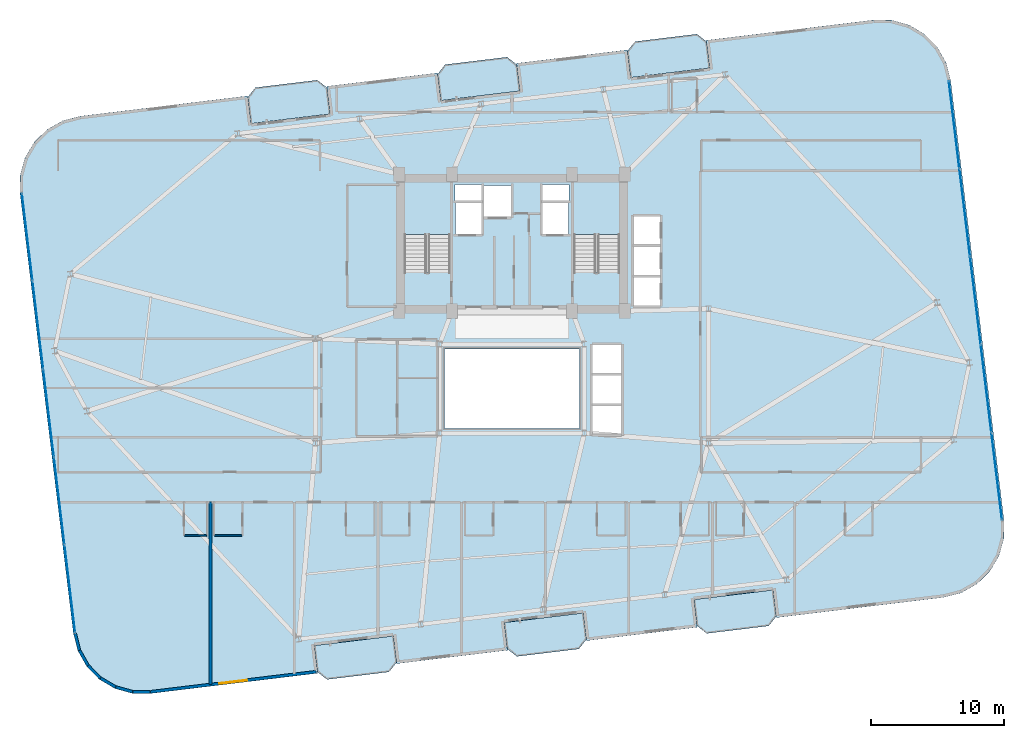
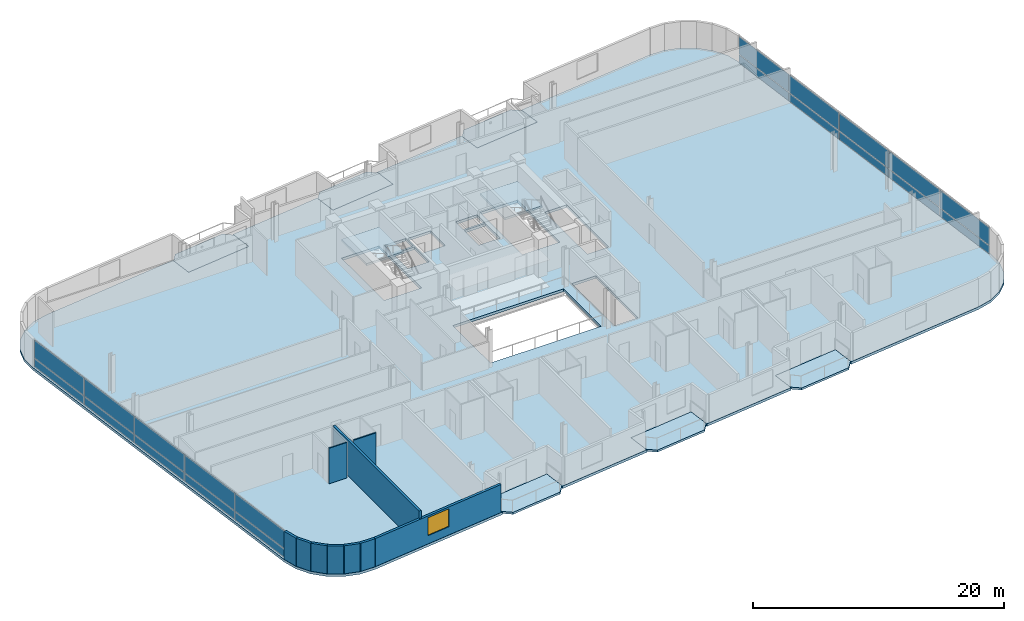
# One storey, part 13 of 23: 20 plates, 10 walls, 9 slabs, 1 window, 1 opening, 4 elements without a shape of their own.
"""IFC4 building model written with IfcOpenShell, lengths in metres."""

from ifc_helpers import new_model, si_unit, direction, frame, frame_2d, origin, origin_2d, place, context, subcontext, project, spatial, polyline, rectangle, outline, extrude, source, transform, mapped, material, layer, layer_set, type_object, element, fill, aggregate, save


model = new_model("IFC4")

# Units and contexts
model_context = context("Model", 3, precision=1e-05, world=origin(), true_north=direction((0.0, 1.0)))
body_context = subcontext(model_context, "Body", "Model", "MODEL_VIEW")
ifc_project = project(units=[si_unit("LENGTHUNIT", "METRE"), si_unit("AREAUNIT", "SQUARE_METRE"), si_unit("VOLUMEUNIT", "CUBIC_METRE"), si_unit("PLANEANGLEUNIT", "RADIAN"), si_unit("MASSUNIT", "GRAM", prefix="KILO")], contexts=[model_context])

# Site, building, storey
site_placement = place(None, origin())
site = spatial("IfcSite", under=ifc_project, at=site_placement, CompositionType="ELEMENT")
building_placement = place(site_placement, origin())
building = spatial("IfcBuilding", under=site, at=building_placement, Name="Varnelok Gate Tower", CompositionType="ELEMENT")
storey_placement = place(building_placement, frame((0.0, 0.0, 200.5)))
storey = spatial("IfcBuildingStorey", under=building, at=storey_placement, Name="L51", CompositionType="ELEMENT", Elevation=200.5)

# Slabs
ifc_material_1 = material(Name="Concrete C45/55", Category="concrete")
ifc_layer_1 = layer(ifc_material_1, 0.199951171875)
ifc_layer_set_1 = layer_set([ifc_layer_1], Name="Concrete C45/55")
slab_type_1 = type_object("IfcSlabType", Name="SLB-BALC-200", PredefinedType="FLOOR", material=ifc_layer_set_1)
slab_1_placement = place(storey_placement, frame((0.0, 0.0, -0.199951171875)))
element("IfcSlab", 1, at=slab_1_placement, inside=storey, type_object=slab_type_1, Name="L51 South Hollow Balcony 1", PredefinedType="FLOOR", context=body_context, shape_type="SweptSolid", body=[
    extrude(outline(polyline([(24.550048828125, 1.564453125), (25.2734375, 0.997314453125), (29.939208984375, 1.56298828125), (30.50634765625, 2.28662109375), (30.265625, 4.27197265625), (24.309326171875, 3.5498046875), (24.550048828125, 1.564453125)])), origin(), (0.0, 0.0, 1.0), 0.199951171875),
])
slab_2_placement = place(storey_placement, frame((0.0, 0.0, -0.199951171875)))
element("IfcSlab", 2, at=slab_2_placement, inside=storey, type_object=slab_type_1, Name="L51 South Hollow Balcony 2", PredefinedType="FLOOR", context=body_context, shape_type="SweptSolid", body=[
    extrude(outline(polyline([(38.84521484375, 3.29736328125), (39.56884765625, 2.73046875), (44.234619140625, 3.2958984375), (44.8017578125, 4.01953125), (44.56103515625, 6.0048828125), (38.6044921875, 5.282958984375), (38.84521484375, 3.29736328125)])), origin(), (0.0, 0.0, 1.0), 0.199951171875),
])
slab_3_placement = place(storey_placement, frame((0.0, 0.0, -0.199951171875)))
element("IfcSlab", 3, at=slab_3_placement, inside=storey, type_object=slab_type_1, Name="L51 South Hollow Balcony 3", PredefinedType="FLOOR", context=body_context, shape_type="SweptSolid", body=[
    extrude(outline(polyline([(53.140625, 5.030517578125), (53.8642578125, 4.46337890625), (58.530029296875, 5.02880859375), (59.09716796875, 5.75244140625), (58.8564453125, 7.73779296875), (52.89990234375, 7.015869140625), (53.140625, 5.030517578125)])), origin(), (0.0, 0.0, 1.0), 0.199951171875),
])
slab_4_placement = place(storey_placement, frame((0.0, 0.0, -0.199951171875)))
element("IfcSlab", 4, at=slab_4_placement, inside=storey, type_object=slab_type_1, Name="L51 North Hollow Balcony 1", PredefinedType="FLOOR", context=body_context, shape_type="SweptSolid", body=[
    extrude(outline(polyline([(19.543701171875, 42.862060546875), (25.5, 43.584228515625), (25.25927734375, 45.569580078125), (24.535888671875, 46.13671875), (19.8701171875, 45.571044921875), (19.302978515625, 44.84765625), (19.543701171875, 42.862060546875)])), origin(), (0.0, 0.0, 1.0), 0.199951171875),
])
slab_5_placement = place(storey_placement, frame((0.0, 0.0, -0.199951171875)))
element("IfcSlab", 5, at=slab_5_placement, inside=storey, type_object=slab_type_1, Name="L51 North Hollow Balcony 2", PredefinedType="FLOOR", context=body_context, shape_type="SweptSolid", body=[
    extrude(outline(polyline([(33.839111328125, 44.59521484375), (39.79541015625, 45.317138671875), (39.5546875, 47.302490234375), (38.831298828125, 47.86962890625), (34.165283203125, 47.303955078125), (33.598388671875, 46.58056640625), (33.839111328125, 44.59521484375)])), origin(), (0.0, 0.0, 1.0), 0.199951171875),
])
slab_6_placement = place(storey_placement, frame((0.0, 0.0, -0.199951171875)))
element("IfcSlab", 6, at=slab_6_placement, inside=storey, type_object=slab_type_1, Name="L51 North Hollow Balcony 3", PredefinedType="FLOOR", context=body_context, shape_type="SweptSolid", body=[
    extrude(outline(polyline([(48.13427734375, 46.327880859375), (54.0908203125, 47.050048828125), (53.85009765625, 49.03564453125), (53.12646484375, 49.6025390625), (48.460693359375, 49.037109375), (47.8935546875, 48.3134765625), (48.13427734375, 46.327880859375)])), origin(), (0.0, 0.0, 1.0), 0.199951171875),
])

# Stair, slab
ifc_material_2 = material(Name="Concrete C50/60", Category="concrete")
stair_type = type_object("IfcStairType", Name="STR-CORE-1650", PredefinedType="HALF_TURN_STAIR", material=ifc_material_2)
stair_1_placement = place(storey_placement, origin())
stair_1 = element("IfcStair", 7, at=stair_1_placement, inside=storey, type_object=stair_type, Name="L51 Exit Stair ST-1", PredefinedType="HALF_TURN_STAIR")
ifc_layer_2 = layer(ifc_material_1, 0.199951171875)
ifc_layer_set_2 = layer_set([ifc_layer_2], Name="Concrete C45/55")
slab_type_2 = type_object("IfcSlabType", Name="SLB-LAND-200", PredefinedType="LANDING", material=ifc_layer_set_2)
slab_7_placement = place(storey_placement, frame((0.0, 0.0, 1.64990234375)))
slab_7 = element("IfcSlab", 8, at=slab_7_placement, type_object=slab_type_2, Name="ST-1 landing 1", PredefinedType="LANDING", context=body_context, shape_type="SweptSolid", body=[
    extrude(outline(polyline([(34.550048828125, 34.5), (34.550048828125, 38.449951171875), (31.10009765625, 38.449951171875), (31.10009765625, 34.5), (34.550048828125, 34.5)])), origin(), (0.0, 0.0, 1.0), 0.2001953125),
])
aggregate(stair_1, [slab_7])

stair_2_placement = place(storey_placement, origin())
stair_2 = element("IfcStair", 9, at=stair_2_placement, inside=storey, type_object=stair_type, Name="L51 Exit Stair ST-2", PredefinedType="HALF_TURN_STAIR")
slab_8_placement = place(storey_placement, frame((0.0, 0.0, 1.64990234375)))
slab_8 = element("IfcSlab", 10, at=slab_8_placement, type_object=slab_type_2, Name="ST-2 landing 1", PredefinedType="LANDING", context=body_context, shape_type="SweptSolid", body=[
    extrude(outline(polyline([(47.300048828125, 34.5), (47.300048828125, 38.449951171875), (43.85009765625, 38.449951171875), (43.85009765625, 34.5), (47.300048828125, 34.5)])), origin(), (0.0, 0.0, 1.0), 0.2001953125),
])
aggregate(stair_2, [slab_8])

# Slab
ifc_layer_3 = layer(ifc_material_2, 0.25)
ifc_layer_set_3 = layer_set([ifc_layer_3], Name="Concrete C50/60")
slab_type_3 = type_object("IfcSlabType", Name="SLB-TYP-250", PredefinedType="FLOOR", material=ifc_layer_set_3)
slab_9_placement = place(storey_placement, frame((0.0, 0.0, -0.25)))
element("IfcSlab", 11, at=slab_9_placement, inside=storey, type_object=slab_type_3, Name="L51 Structural Floor Slab", PredefinedType="FLOOR", context=body_context, shape_type="SweptSolid", body=[
    extrude(outline(polyline([(6.166259765625, 4.47314453125), (6.504150390625, 3.158447265625), (7.1708984375, 1.975830078125), (8.120849609375, 1.006103515625), (9.289306640625, 0.3154296875), (10.596923828125, -0.04931640625), (11.954345703125, -0.063232421875), (22.87451171875, 1.260498046875), (24.56201171875, 1.465087890625), (24.309326171875, 3.5498046875), (30.265625, 4.27197265625), (30.518310546875, 2.187255859375), (38.857421875, 3.197998046875), (38.6044921875, 5.282958984375), (44.56103515625, 6.0048828125), (44.813720703125, 3.920166015625), (53.152587890625, 4.93115234375), (52.89990234375, 7.015869140625), (58.8564453125, 7.73779296875), (59.109130859375, 5.6533203125), (60.796630859375, 5.85791015625), (71.716796875, 7.181396484375), (73.031494140625, 7.519287109375), (74.214111328125, 8.18603515625), (75.183837890625, 9.135986328125), (75.87451171875, 10.3046875), (76.2392578125, 11.612060546875), (76.253173828125, 12.969482421875), (72.233642578125, 46.126708984375), (71.895751953125, 47.441650390625), (71.229248046875, 48.6240234375), (70.279296875, 49.59375), (69.110595703125, 50.284423828125), (67.802978515625, 50.6494140625), (66.44580078125, 50.6630859375), (55.525634765625, 49.33935546875), (53.837890625, 49.134765625), (54.0908203125, 47.050048828125), (48.13427734375, 46.327880859375), (47.881591796875, 48.412841796875), (39.54248046875, 47.40185546875), (39.79541015625, 45.317138671875), (33.839111328125, 44.59521484375), (33.586181640625, 46.6796875), (25.247314453125, 45.6689453125), (25.5, 43.584228515625), (19.543701171875, 42.862060546875), (19.291015625, 44.94677734375), (17.603271484375, 44.7421875), (6.68310546875, 43.41845703125), (5.368408203125, 43.08056640625), (4.18603515625, 42.413818359375), (3.21630859375, 41.464111328125), (2.525390625, 40.29541015625), (2.16064453125, 38.98779296875), (2.146728515625, 37.630615234375), (6.166259765625, 4.47314453125)]), holes=[polyline([(34.550048828125, 31.679931640625), (34.550048828125, 38.449951171875), (31.10009765625, 38.449951171875), (31.10009765625, 31.679931640625), (34.550048828125, 31.679931640625)]), polyline([(47.300048828125, 31.679931640625), (47.300048828125, 38.449951171875), (43.85009765625, 38.449951171875), (43.85009765625, 31.679931640625), (47.300048828125, 31.679931640625)]), polyline([(34.949951171875, 34.550048828125), (36.89990234375, 34.550048828125), (36.89990234375, 36.89990234375), (34.949951171875, 36.89990234375), (34.949951171875, 34.550048828125)]), polyline([(41.5, 34.550048828125), (43.449951171875, 34.550048828125), (43.449951171875, 36.89990234375), (41.5, 36.89990234375), (41.5, 34.550048828125)]), polyline([(37.050048828125, 35.85009765625), (39.14990234375, 35.85009765625), (39.14990234375, 38.199951171875), (37.050048828125, 38.199951171875), (37.050048828125, 35.85009765625)]), polyline([(48.35009765625, 29.14990234375), (50.35009765625, 29.14990234375), (50.35009765625, 35.89990234375), (48.35009765625, 35.89990234375), (48.35009765625, 29.14990234375)]), polyline([(45.25, 19.449951171875), (47.449951171875, 19.449951171875), (47.449951171875, 26.199951171875), (45.25, 26.199951171875), (45.25, 19.449951171875)]), polyline([(34.919921875, 37.080078125), (36.89990234375, 37.080078125), (36.89990234375, 38.280029296875), (34.919921875, 38.280029296875), (34.919921875, 37.080078125)]), polyline([(41.5, 37.080078125), (43.47998046875, 37.080078125), (43.47998046875, 38.280029296875), (41.5, 38.280029296875), (41.5, 37.080078125)]), polyline([(34.10009765625, 19.89990234375), (44.300048828125, 19.89990234375), (44.300048828125, 25.89990234375), (34.10009765625, 25.89990234375), (34.10009765625, 19.89990234375)])]), origin(), (0.0, 0.0, 1.0), 0.25),
])

# Curtain wall, plates
ifc_material_3 = material(Name="Anodized Aluminum Alloy 6063-T6", Category="aluminium")
ifc_layer_4 = layer(ifc_material_3, 0.179931640625)
ifc_layer_set_4 = layer_set([ifc_layer_4], Name="Anodized Aluminum Alloy 6063-T6")
curtain_wall_type = type_object("IfcCurtainWallType", Name="CW4-RESIDENCE-VISION", PredefinedType="USERDEFINED", material=ifc_layer_set_4)
curtain_wall_1_placement = place(storey_placement, origin())
curtain_wall_1 = element("IfcCurtainWall", 12, at=curtain_wall_1_placement, inside=storey, type_object=curtain_wall_type, Name="L51 West End Vision Curtain Wall", ObjectType="UNITISED CURTAIN WALL", PredefinedType="USERDEFINED")
ifc_material_4 = material(Name="Low-E Laminated Double Glazing IGU", Category="glass")
ifc_layer_5 = layer(ifc_material_4, 0.035888671875)
ifc_layer_set_5 = layer_set([ifc_layer_5], Name="Low-E Laminated Double Glazing IGU")
plate_type = type_object("IfcPlateType", Name="CW-PNL-IGU36", PredefinedType="CURTAIN_PANEL", material=ifc_layer_set_5)
shared_shape_1 = source(origin(), body_context, "Body", "SweptSolid", [
    extrude(rectangle(XDim=6.5673828125, YDim=0.035888671875, at=origin_2d()), origin(), (0.0, 0.0, 1.0), 0.78759765625),
])
plate_1_placement = place(storey_placement, frame((5.901123046875, 7.824462890625, 0.074951171875), z_axis=(0.0, 0.0, 1.0), x_axis=(-0.120344511371, 0.992732188751, 0.0)))
plate_1 = element("IfcPlate", 13, at=plate_1_placement, type_object=plate_type, Name="CW4 panel 1.1", PredefinedType="CURTAIN_PANEL", context=body_context, shape_type="MappedRepresentation", body=[
    mapped(shared_shape_1, transform((0.0, 0.0, 0.0), scale=1.0)),
])
plate_2_placement = place(storey_placement, frame((2.68994140625, 34.31298828125, 0.074951171875), z_axis=(0.0, 0.0, 1.0), x_axis=(-0.120344511371, 0.992732188751, 0.0)))
plate_2 = element("IfcPlate", 14, at=plate_2_placement, type_object=plate_type, Name="CW4 panel 5.1", PredefinedType="CURTAIN_PANEL", context=body_context, shape_type="MappedRepresentation", body=[
    mapped(shared_shape_1, transform((0.0, 0.0, 0.0), scale=1.0)),
])

curtain_wall_2_placement = place(storey_placement, origin())
curtain_wall_2 = element("IfcCurtainWall", 15, at=curtain_wall_2_placement, inside=storey, type_object=curtain_wall_type, Name="L51 East End Vision Curtain Wall", ObjectType="UNITISED CURTAIN WALL", PredefinedType="USERDEFINED")
plate_3_placement = place(storey_placement, frame((72.4990234375, 42.775634765625, 0.074951171875), z_axis=(0.0, 0.0, 1.0), x_axis=(0.120344511371, -0.992732188751, 0.0)))
plate_3 = element("IfcPlate", 16, at=plate_3_placement, type_object=plate_type, Name="CW4 panel 1.1", PredefinedType="CURTAIN_PANEL", context=body_context, shape_type="MappedRepresentation", body=[
    mapped(shared_shape_1, transform((0.0, 0.0, 0.0), scale=1.0)),
])
plate_4_placement = place(storey_placement, frame((75.7099609375, 16.287109375, 0.074951171875), z_axis=(0.0, 0.0, 1.0), x_axis=(0.120344511371, -0.992732188751, 0.0)))
plate_4 = element("IfcPlate", 17, at=plate_4_placement, type_object=plate_type, Name="CW4 panel 5.1", PredefinedType="CURTAIN_PANEL", context=body_context, shape_type="MappedRepresentation", body=[
    mapped(shared_shape_1, transform((0.0, 0.0, 0.0), scale=1.0)),
])

# Plate
shared_shape_2 = source(origin(), body_context, "Body", "SweptSolid", [
    extrude(rectangle(XDim=6.5673828125, YDim=0.035888671875, at=origin_2d()), origin(), (0.0, 0.0, 1.0), 1.717529296875),
])
plate_5_placement = place(storey_placement, frame((5.901123046875, 7.824462890625, 0.9375), z_axis=(0.0, 0.0, 1.0), x_axis=(-0.120344511371, 0.992732188751, 0.0)))
plate_5 = element("IfcPlate", 18, at=plate_5_placement, type_object=plate_type, Name="CW4 panel 1.2", PredefinedType="CURTAIN_PANEL", context=body_context, shape_type="MappedRepresentation", body=[
    mapped(shared_shape_2, transform((0.0, 0.0, 0.0), scale=1.0)),
])

plate_6_placement = place(storey_placement, frame((2.68994140625, 34.31298828125, 0.9375), z_axis=(0.0, 0.0, 1.0), x_axis=(-0.120344511371, 0.992732188751, 0.0)))
plate_6 = element("IfcPlate", 19, at=plate_6_placement, type_object=plate_type, Name="CW4 panel 5.2", PredefinedType="CURTAIN_PANEL", context=body_context, shape_type="MappedRepresentation", body=[
    mapped(shared_shape_2, transform((0.0, 0.0, 0.0), scale=1.0)),
])

plate_7_placement = place(storey_placement, frame((72.4990234375, 42.775634765625, 0.9375), z_axis=(0.0, 0.0, 1.0), x_axis=(0.120344511371, -0.992732188751, 0.0)))
plate_7 = element("IfcPlate", 20, at=plate_7_placement, type_object=plate_type, Name="CW4 panel 1.2", PredefinedType="CURTAIN_PANEL", context=body_context, shape_type="MappedRepresentation", body=[
    mapped(shared_shape_2, transform((0.0, 0.0, 0.0), scale=1.0)),
])

plate_8_placement = place(storey_placement, frame((75.7099609375, 16.287109375, 0.9375), z_axis=(0.0, 0.0, 1.0), x_axis=(0.120344511371, -0.992732188751, 0.0)))
plate_8 = element("IfcPlate", 21, at=plate_8_placement, type_object=plate_type, Name="CW4 panel 5.2", PredefinedType="CURTAIN_PANEL", context=body_context, shape_type="MappedRepresentation", body=[
    mapped(shared_shape_2, transform((0.0, 0.0, 0.0), scale=1.0)),
])

shared_shape_3 = source(origin(), body_context, "Body", "SweptSolid", [
    extrude(rectangle(XDim=6.60498046875, YDim=0.035888671875, at=origin_2d()), origin(), (0.0, 0.0, 1.0), 0.78759765625),
])
plate_9_placement = place(storey_placement, frame((5.099365234375, 14.437255859375, 0.074951171875), z_axis=(0.0, 0.0, 1.0), x_axis=(-0.120344511371, 0.992732188751, 0.0)))
plate_9 = element("IfcPlate", 22, at=plate_9_placement, type_object=plate_type, Name="CW4 panel 2.1", PredefinedType="CURTAIN_PANEL", context=body_context, shape_type="MappedRepresentation", body=[
    mapped(shared_shape_3, transform((0.0, 0.0, 0.0), scale=1.0)),
])

plate_10_placement = place(storey_placement, frame((4.295654296875, 21.068603515625, 0.074951171875), z_axis=(0.0, 0.0, 1.0), x_axis=(-0.120344511371, 0.992732188751, 0.0)))
plate_10 = element("IfcPlate", 23, at=plate_10_placement, type_object=plate_type, Name="CW4 panel 3.1", PredefinedType="CURTAIN_PANEL", context=body_context, shape_type="MappedRepresentation", body=[
    mapped(shared_shape_3, transform((0.0, 0.0, 0.0), scale=1.0)),
])

plate_11_placement = place(storey_placement, frame((3.49169921875, 27.7001953125, 0.074951171875), z_axis=(0.0, 0.0, 1.0), x_axis=(-0.120344511371, 0.992732188751, 0.0)))
plate_11 = element("IfcPlate", 24, at=plate_11_placement, type_object=plate_type, Name="CW4 panel 4.1", PredefinedType="CURTAIN_PANEL", context=body_context, shape_type="MappedRepresentation", body=[
    mapped(shared_shape_3, transform((0.0, 0.0, 0.0), scale=1.0)),
])

plate_12_placement = place(storey_placement, frame((73.300537109375, 36.162841796875, 0.074951171875), z_axis=(0.0, 0.0, 1.0), x_axis=(0.120344511371, -0.992732188751, 0.0)))
plate_12 = element("IfcPlate", 25, at=plate_12_placement, type_object=plate_type, Name="CW4 panel 2.1", PredefinedType="CURTAIN_PANEL", context=body_context, shape_type="MappedRepresentation", body=[
    mapped(shared_shape_3, transform((0.0, 0.0, 0.0), scale=1.0)),
])

plate_13_placement = place(storey_placement, frame((74.1044921875, 29.53125, 0.074951171875), z_axis=(0.0, 0.0, 1.0), x_axis=(0.120344511371, -0.992732188751, 0.0)))
plate_13 = element("IfcPlate", 26, at=plate_13_placement, type_object=plate_type, Name="CW4 panel 3.1", PredefinedType="CURTAIN_PANEL", context=body_context, shape_type="MappedRepresentation", body=[
    mapped(shared_shape_3, transform((0.0, 0.0, 0.0), scale=1.0)),
])

plate_14_placement = place(storey_placement, frame((74.908447265625, 22.89990234375, 0.074951171875), z_axis=(0.0, 0.0, 1.0), x_axis=(0.120344511371, -0.992732188751, 0.0)))
plate_14 = element("IfcPlate", 27, at=plate_14_placement, type_object=plate_type, Name="CW4 panel 4.1", PredefinedType="CURTAIN_PANEL", context=body_context, shape_type="MappedRepresentation", body=[
    mapped(shared_shape_3, transform((0.0, 0.0, 0.0), scale=1.0)),
])

shared_shape_4 = source(origin(), body_context, "Body", "SweptSolid", [
    extrude(rectangle(XDim=6.60498046875, YDim=0.035888671875, at=origin_2d()), origin(), (0.0, 0.0, 1.0), 1.717529296875),
])
plate_15_placement = place(storey_placement, frame((5.099365234375, 14.437255859375, 0.9375), z_axis=(0.0, 0.0, 1.0), x_axis=(-0.120344511371, 0.992732188751, 0.0)))
plate_15 = element("IfcPlate", 28, at=plate_15_placement, type_object=plate_type, Name="CW4 panel 2.2", PredefinedType="CURTAIN_PANEL", context=body_context, shape_type="MappedRepresentation", body=[
    mapped(shared_shape_4, transform((0.0, 0.0, 0.0), scale=1.0)),
])

plate_16_placement = place(storey_placement, frame((4.295654296875, 21.068603515625, 0.9375), z_axis=(0.0, 0.0, 1.0), x_axis=(-0.120344511371, 0.992732188751, 0.0)))
plate_16 = element("IfcPlate", 29, at=plate_16_placement, type_object=plate_type, Name="CW4 panel 3.2", PredefinedType="CURTAIN_PANEL", context=body_context, shape_type="MappedRepresentation", body=[
    mapped(shared_shape_4, transform((0.0, 0.0, 0.0), scale=1.0)),
])

plate_17_placement = place(storey_placement, frame((3.49169921875, 27.7001953125, 0.9375), z_axis=(0.0, 0.0, 1.0), x_axis=(-0.120344511371, 0.992732188751, 0.0)))
plate_17 = element("IfcPlate", 30, at=plate_17_placement, type_object=plate_type, Name="CW4 panel 4.2", PredefinedType="CURTAIN_PANEL", context=body_context, shape_type="MappedRepresentation", body=[
    mapped(shared_shape_4, transform((0.0, 0.0, 0.0), scale=1.0)),
])

aggregate(curtain_wall_1, [plate_1, plate_5, plate_9, plate_15, plate_10, plate_16, plate_11, plate_17, plate_2, plate_6])

plate_18_placement = place(storey_placement, frame((73.300537109375, 36.162841796875, 0.9375), z_axis=(0.0, 0.0, 1.0), x_axis=(0.120344511371, -0.992732188751, 0.0)))
plate_18 = element("IfcPlate", 31, at=plate_18_placement, type_object=plate_type, Name="CW4 panel 2.2", PredefinedType="CURTAIN_PANEL", context=body_context, shape_type="MappedRepresentation", body=[
    mapped(shared_shape_4, transform((0.0, 0.0, 0.0), scale=1.0)),
])

plate_19_placement = place(storey_placement, frame((74.1044921875, 29.53125, 0.9375), z_axis=(0.0, 0.0, 1.0), x_axis=(0.120344511371, -0.992732188751, 0.0)))
plate_19 = element("IfcPlate", 32, at=plate_19_placement, type_object=plate_type, Name="CW4 panel 3.2", PredefinedType="CURTAIN_PANEL", context=body_context, shape_type="MappedRepresentation", body=[
    mapped(shared_shape_4, transform((0.0, 0.0, 0.0), scale=1.0)),
])

plate_20_placement = place(storey_placement, frame((74.908447265625, 22.89990234375, 0.9375), z_axis=(0.0, 0.0, 1.0), x_axis=(0.120344511371, -0.992732188751, 0.0)))
plate_20 = element("IfcPlate", 33, at=plate_20_placement, type_object=plate_type, Name="CW4 panel 4.2", PredefinedType="CURTAIN_PANEL", context=body_context, shape_type="MappedRepresentation", body=[
    mapped(shared_shape_4, transform((0.0, 0.0, 0.0), scale=1.0)),
])

aggregate(curtain_wall_2, [plate_3, plate_7, plate_12, plate_18, plate_13, plate_19, plate_14, plate_20, plate_4, plate_8])

# Walls
ifc_layer_6 = layer(ifc_material_1, 0.219970703125)
ifc_layer_set_6 = layer_set([ifc_layer_6], Name="Concrete C45/55")
wall_type_1 = type_object("IfcWallType", Name="EW-BALC-220", PredefinedType="SOLIDWALL", material=ifc_layer_set_6)
wall_1_placement = place(storey_placement, frame((6.286376953125, 4.48779296875, 0.0), z_axis=(0.0, 0.0, 1.0), x_axis=(0.248942347653, -0.968518305219, 0.0)))
element("IfcWall", 34, at=wall_1_placement, inside=storey, type_object=wall_type_1, Name="L51 Perimeter Facade Closure Wall 1", PredefinedType="SOLIDWALL", context=body_context, shape_type="SweptSolid", body=[
    extrude(rectangle(XDim=1.325927734375, YDim=0.219970703125, at=frame_2d((0.6630859375, 0.0))), origin(), (0.0, 0.0, 1.0), 2.72998046875),
])
for number, where, z_axis, x_axis, name in (
    (35, (6.62890625, 3.181884765625, 0.0), (0.0, 0.0, 1.0), (0.490956091431, -0.871184318205, 0.0), "L51 Perimeter Facade Closure Wall 2"),
    (36, (7.28515625, 2.03076171875, 0.0), (0.0, 0.0, 1.0), (0.699844331926, -0.714295394827, 0.0), "L51 Perimeter Facade Closure Wall 3"),
    (37, (8.217041015625, 1.088623046875, 0.0), (0.0, 0.0, 1.0), (0.860885425627, -0.508798863936, 0.0), "L51 Perimeter Facade Closure Wall 4"),
):
    element("IfcWall", number, at=place(storey_placement, frame(where, z_axis=z_axis, x_axis=x_axis)), inside=storey, type_object=wall_type_1, Name=name, PredefinedType="SOLIDWALL", context=body_context, shape_type="SweptSolid", body=[
        extrude(rectangle(XDim=1.30078125, YDim=0.219970703125, at=frame_2d((0.650390625, 0.0))), origin(), (0.0, 0.0, 1.0), 2.72998046875),
    ])
wall_2_placement = place(storey_placement, frame((9.36083984375, 0.420166015625, 0.0), z_axis=(0.0, 0.0, 1.0), x_axis=(0.963218895288, -0.268717992997, 0.0)))
element("IfcWall", 38, at=wall_2_placement, inside=storey, type_object=wall_type_1, Name="L51 Perimeter Facade Closure Wall 5", PredefinedType="SOLIDWALL", context=body_context, shape_type="SweptSolid", body=[
    extrude(rectangle(XDim=1.301025390625, YDim=0.219970703125, at=frame_2d((0.650390625, 0.0))), origin(), (0.0, 0.0, 1.0), 2.72998046875),
])
wall_3_placement = place(storey_placement, frame((10.638916015625, 0.0703125, 0.0), z_axis=(0.0, 0.0, 1.0), x_axis=(0.999947377741, -0.010258740119, 0.0)))
element("IfcWall", 39, at=wall_3_placement, inside=storey, type_object=wall_type_1, Name="L51 Perimeter Facade Closure Wall 6", PredefinedType="SOLIDWALL", context=body_context, shape_type="SweptSolid", body=[
    extrude(rectangle(XDim=1.308837890625, YDim=0.219970703125, at=frame_2d((0.654296875, 0.0))), origin(), (0.0, 0.0, 1.0), 2.72998046875),
])

# Wall, opening, window
wall_4_placement = place(storey_placement, frame((11.972412109375, 0.059814453125, 0.0), z_axis=(0.0, 0.0, 1.0), x_axis=(0.992732021049, 0.120345894751, 0.0)))
wall_4 = element("IfcWall", 40, at=wall_4_placement, inside=storey, type_object=wall_type_1, Name="L51 Perimeter Facade Closure Wall 7", PredefinedType="SOLIDWALL", context=body_context, shape_type="SweptSolid", body=[
    extrude(rectangle(XDim=12.54736328125, YDim=0.219970703125, at=frame_2d((6.273681640625, 0.0))), origin(), (0.0, 0.0, 1.0), 2.72998046875),
])
opening_placement = place(wall_4_placement, frame((5.2236328125, 0.0, 0.800048828125)))
opening = element("IfcOpeningElement", 41, at=opening_placement, cuts=wall_4, Name="Opening WN4", PredefinedType="OPENING", context=body_context, shape_type="SweptSolid", body=[
    extrude(rectangle(XDim=2.10009765625, YDim=1.75, at=frame_2d((1.050048828125, 0.875))), frame((0.0, 0.119873046875, 0.0), z_axis=(0.0, -1.0, 0.0), x_axis=(1.0, 0.0, 0.0)), (0.0, 0.0, 1.0), 0.239990234375),
])
window_type = type_object("IfcWindowType", Name="WN-SUI-2100", PartitioningType="SINGLE_PANEL", PredefinedType="WINDOW", material=ifc_material_4)
window_placement = place(opening_placement, origin())
window = element("IfcWindow", 42, at=window_placement, inside=storey, type_object=window_type, Name="L51 Perimeter Vision Window 7", OverallHeight=1.75, OverallWidth=2.10009765625, PartitioningType="SINGLE_PANEL", PredefinedType="WINDOW", context=body_context, shape_type="SweptSolid", body=[
    extrude(rectangle(XDim=2.10009765625, YDim=1.75, at=frame_2d((1.050048828125, 0.875))), frame((0.0, 0.030029296875, 0.0), z_axis=(0.0, -1.0, 0.0), x_axis=(1.0, 0.0, 0.0)), (0.0, 0.0, 1.0), 0.06005859375),
])
fill(opening, window)

# Walls
ifc_material_5 = material(Name="Gypsum Plasterboard Acoustic Partition", Category="gypsum")
ifc_layer_7 = layer(ifc_material_5, 0.114990234375)
ifc_layer_set_7 = layer_set([ifc_layer_7], Name="Gypsum Plasterboard Acoustic Partition")
wall_type_2 = type_object("IfcWallType", Name="PW-ENS-125", PredefinedType="PARTITIONING", material=ifc_layer_set_7)
wall_5_placement = place(storey_placement, frame((14.550048828125, 11.830078125, 0.0), z_axis=(0.0, 0.0, 1.0), x_axis=(1.0, 0.0, 0.0)))
element("IfcWall", 43, at=wall_5_placement, inside=storey, type_object=wall_type_2, Name="Interior Partition", PredefinedType="PARTITIONING", context=body_context, shape_type="SweptSolid", body=[
    extrude(rectangle(XDim=1.64990234375, YDim=0.114990234375, at=frame_2d((0.824951171875, 0.0))), origin(), (0.0, 0.0, 1.0), 3.449951171875),
])
wall_6_placement = place(storey_placement, frame((16.800048828125, 11.830078125, 0.0), z_axis=(0.0, 0.0, 1.0), x_axis=(1.0, 0.0, 0.0)))
element("IfcWall", 44, at=wall_6_placement, inside=storey, type_object=wall_type_2, Name="Interior Partition", PredefinedType="PARTITIONING", context=body_context, shape_type="SweptSolid", body=[
    extrude(rectangle(XDim=2.052001953125, YDim=0.114990234375, at=frame_2d((1.02587890625, 0.0))), origin(), (0.0, 0.0, 1.0), 3.449951171875),
])
ifc_layer_8 = layer(ifc_material_5, 0.205078125)
ifc_layer_set_8 = layer_set([ifc_layer_8], Name="Gypsum Plasterboard Acoustic Partition")
wall_type_3 = type_object("IfcWallType", Name="PW-PARTY-200", PredefinedType="PARTITIONING", material=ifc_layer_set_8)
wall_7_placement = place(storey_placement, frame((16.5, 0.62890625, 0.0), z_axis=(0.0, 0.0, 1.0), x_axis=(0.0, 1.0, 0.0)))
element("IfcWall", 45, at=wall_7_placement, inside=storey, type_object=wall_type_3, Name="L51 South Party Wall 1", PredefinedType="PARTITIONING", context=body_context, shape_type="SweptSolid", body=[
    extrude(rectangle(XDim=13.72119140625, YDim=0.205078125, at=frame_2d((6.860595703125, 0.0))), origin(), (0.0, 0.0, 1.0), 3.449951171875),
])

save(model, "model.ifc")
